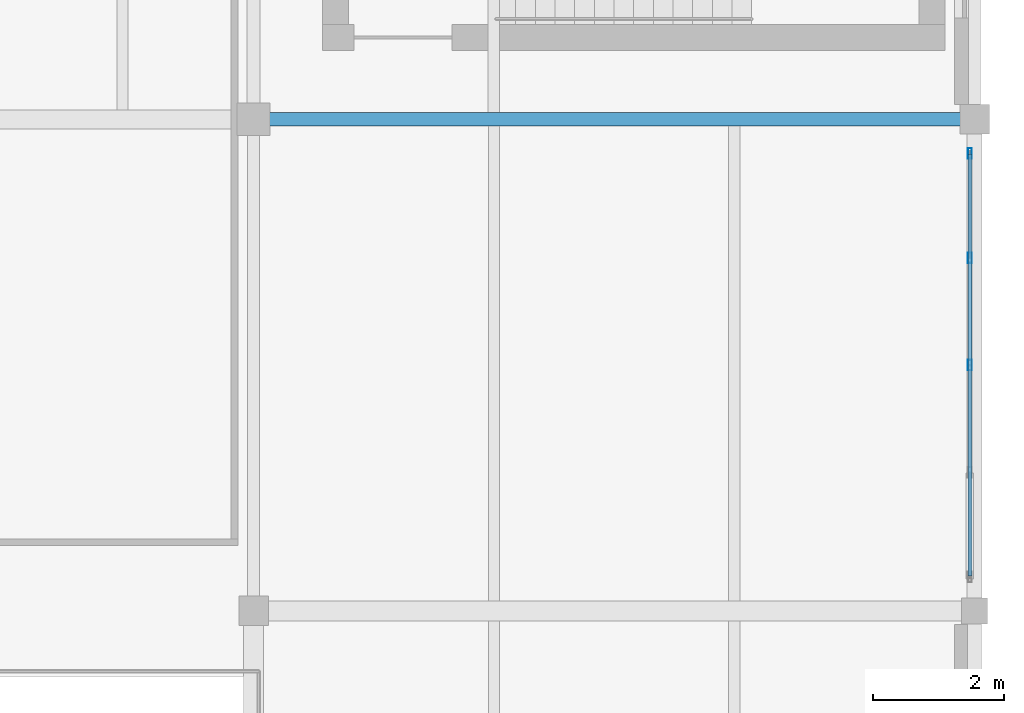
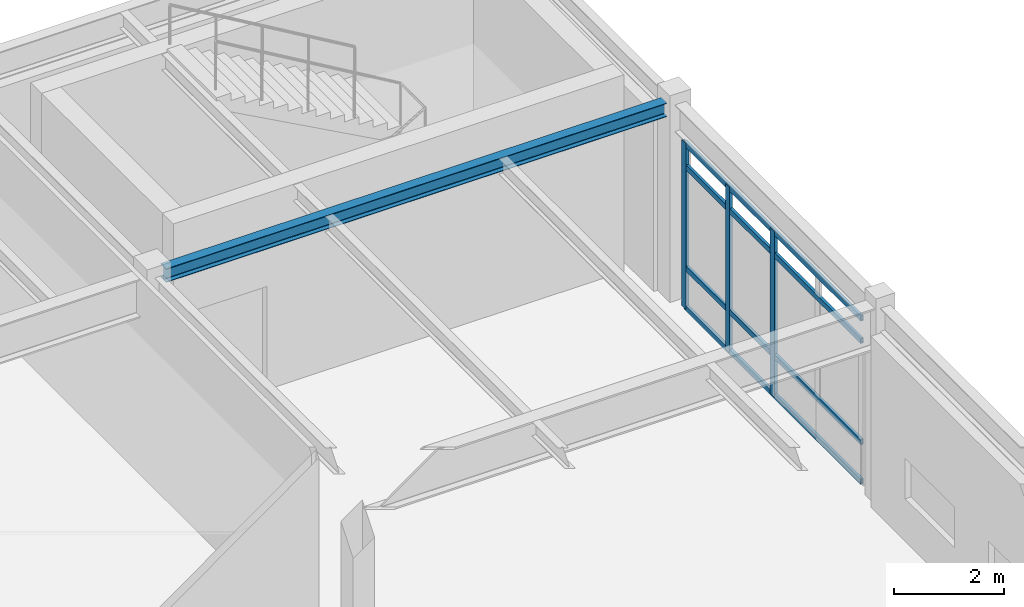
# One storey, part 108 of 168: 7 members, 1 beam, 1 element without a shape of its own.
"""IFC4 building model written with IfcOpenShell, lengths in metres."""

from ifc_helpers import new_model, si_unit, direction, frame, origin, origin_2d, place, context, subcontext, project, spatial, hollow_rectangle, i_section, extrude, material, material_profile, profile_set, type_object, element, aggregate, save


model = new_model("IFC4")

# Units and contexts
model_context = context("Model", 3, precision=1e-05, world=origin(), true_north=direction((0.0, 1.0)))
body_context = subcontext(model_context, "Body", "Model", "MODEL_VIEW")
ifc_project = project(units=[si_unit("LENGTHUNIT", "METRE"), si_unit("AREAUNIT", "SQUARE_METRE"), si_unit("VOLUMEUNIT", "CUBIC_METRE"), si_unit("PLANEANGLEUNIT", "RADIAN"), si_unit("MASSUNIT", "GRAM", prefix="KILO"), si_unit("THERMODYNAMICTEMPERATUREUNIT", "KELVIN"), si_unit("POWERUNIT", "WATT")], contexts=[model_context])

# Site, building, storey
site_placement = place(None, origin())
site = spatial("IfcSite", under=ifc_project, at=site_placement, CompositionType="ELEMENT")
building_placement = place(site_placement, origin())
building = spatial("IfcBuilding", under=site, at=building_placement, Name="Tepalcoro Natatorium and Aquatics Centre", CompositionType="ELEMENT")
storey_placement = place(building_placement, frame((0.0, 0.0, 10.199951171875)))
storey = spatial("IfcBuildingStorey", under=building, at=storey_placement, Name="L02", CompositionType="ELEMENT", Elevation=10.199951171875)

# Beam
ifc_material_1 = material(Name="Steel ASTM A992 Grade 50 (Fy 345 MPa)", Category="steel")
ifc_material_profile_1 = material_profile(ifc_material_1, i_section(OverallWidth=0.202880859375, OverallDepth=0.304931640625, WebThickness=0.007080078125, FlangeThickness=0.012939453125, FilletRadius=0.013916015625, at=origin_2d()), Name="W12X40")
ifc_profile_set_1 = profile_set([ifc_material_profile_1], Name="Steel ASTM A992 Grade 50 (Fy 345 MPa)")
beam_type = type_object("IfcBeamType", Name="BM_W12x40", PredefinedType="BEAM", material=ifc_profile_set_1)
beam_placement = place(storey_placement, frame((165.235107421875, 51.5, 4.212646484375), z_axis=(1.0, 0.0, 0.0), x_axis=(0.0, 1.0, 0.0)))
element("IfcBeam", 1, at=beam_placement, inside=storey, type_object=beam_type, Name="V2 L02 Grid Girder X", PredefinedType="BEAM", context=body_context, shape_type="SweptSolid", body=[
    extrude(i_section(OverallWidth=0.202880859375, OverallDepth=0.304931640625, WebThickness=0.007080078125, FlangeThickness=0.012939453125, FilletRadius=0.013916015625, at=origin_2d()), origin(), (0.0, 0.0, 1.0), 10.554931640625),
])

# Curtain wall, members
ifc_material_2 = material(Name="Bronze-Anodised Extruded Aluminium Alloy EN AW-6063 T6", Category="aluminium")
curtain_wall_type = type_object("IfcCurtainWallType", Name="CW_V3_FOYER", PredefinedType="USERDEFINED", material=ifc_material_2)
curtain_wall_placement = place(storey_placement, origin())
curtain_wall = element("IfcCurtainWall", 2, at=curtain_wall_placement, inside=storey, type_object=curtain_wall_type, Name="V2 L02 E Unitised Curtain Wall Bay 6", ObjectType="UNITISED STOREFRONT", PredefinedType="USERDEFINED")
ifc_material_profile_2 = material_profile(ifc_material_2, hollow_rectangle(XDim=0.06005859375, YDim=0.159912109375, WallThickness=0.00390625, at=origin_2d()), Name="AL60X160X4")
ifc_profile_set_2 = profile_set([ifc_material_profile_2], Name="Bronze-Anodised Extruded Aluminium Alloy EN AW-6063 T6")
member_type_1 = type_object("IfcMemberType", Name="CW_MUL_60x160", PredefinedType="MULLION", material=ifc_profile_set_2)
member_1_placement = place(storey_placement, frame((175.9287109375, 47.75, 0.02001953125), z_axis=(0.0, 0.0, 1.0), x_axis=(1.0, 0.0, 0.0)))
member_1 = element("IfcMember", 3, at=member_1_placement, type_object=member_type_1, Name="CW_V3_FOYER Curtain Wall Mullion", PredefinedType="MULLION", context=body_context, shape_type="SweptSolid", body=[
    extrude(hollow_rectangle(XDim=0.06005859375, YDim=0.159912109375, WallThickness=0.00390625, at=origin_2d()), origin(), (0.0, 0.0, 1.0), 3.697998046875),
])
member_2_placement = place(storey_placement, frame((175.9287109375, 49.385009765625, 0.02001953125), z_axis=(0.0, 0.0, 1.0), x_axis=(1.0, 0.0, 0.0)))
member_2 = element("IfcMember", 4, at=member_2_placement, type_object=member_type_1, Name="CW_V3_FOYER Curtain Wall Mullion", PredefinedType="MULLION", context=body_context, shape_type="SweptSolid", body=[
    extrude(hollow_rectangle(XDim=0.06005859375, YDim=0.159912109375, WallThickness=0.00390625, at=origin_2d()), origin(), (0.0, 0.0, 1.0), 3.697998046875),
])
member_3_placement = place(storey_placement, frame((175.9287109375, 50.97998046875, 0.02001953125), z_axis=(0.0, 0.0, 1.0), x_axis=(1.0, 0.0, 0.0)))
member_3 = element("IfcMember", 5, at=member_3_placement, type_object=member_type_1, Name="CW_V3_FOYER Curtain Wall Mullion", PredefinedType="MULLION", context=body_context, shape_type="SweptSolid", body=[
    extrude(hollow_rectangle(XDim=0.06005859375, YDim=0.159912109375, WallThickness=0.00390625, at=origin_2d()), origin(), (0.0, 0.0, 1.0), 3.697998046875),
])
ifc_material_profile_3 = material_profile(ifc_material_2, hollow_rectangle(XDim=0.06005859375, YDim=0.1201171875, WallThickness=0.00390625, at=origin_2d()), Name="AL60X120X4")
ifc_profile_set_3 = profile_set([ifc_material_profile_3], Name="Bronze-Anodised Extruded Aluminium Alloy EN AW-6063 T6")
member_type_2 = type_object("IfcMemberType", Name="CW_TRN_60x120", PredefinedType="USERDEFINED", material=ifc_profile_set_3)
member_4_placement = place(storey_placement, frame((175.9287109375, 44.530029296875, 0.050048828125), z_axis=(0.0, 1.0, 0.0), x_axis=(-1.0, 0.0, 0.0)))
member_4 = element("IfcMember", 6, at=member_4_placement, type_object=member_type_2, Name="CW_V3_FOYER Curtain Wall Transom", ObjectType="TRANSOM", PredefinedType="USERDEFINED", context=body_context, shape_type="SweptSolid", body=[
    extrude(hollow_rectangle(XDim=0.06005859375, YDim=0.1201171875, WallThickness=0.00390625, at=origin_2d()), origin(), (0.0, 0.0, 1.0), 6.43994140625),
])
member_5_placement = place(storey_placement, frame((175.9287109375, 44.530029296875, 0.9345703125), z_axis=(0.0, 1.0, 0.0), x_axis=(-1.0, 0.0, 0.0)))
member_5 = element("IfcMember", 7, at=member_5_placement, type_object=member_type_2, Name="CW_V3_FOYER Curtain Wall Transom", ObjectType="TRANSOM", PredefinedType="USERDEFINED", context=body_context, shape_type="SweptSolid", body=[
    extrude(hollow_rectangle(XDim=0.06005859375, YDim=0.1201171875, WallThickness=0.00390625, at=origin_2d()), origin(), (0.0, 0.0, 1.0), 6.43994140625),
])
member_6_placement = place(storey_placement, frame((175.9287109375, 44.530029296875, 3.18798828125), z_axis=(0.0, 1.0, 0.0), x_axis=(-1.0, 0.0, 0.0)))
member_6 = element("IfcMember", 8, at=member_6_placement, type_object=member_type_2, Name="CW_V3_FOYER Curtain Wall Transom", ObjectType="TRANSOM", PredefinedType="USERDEFINED", context=body_context, shape_type="SweptSolid", body=[
    extrude(hollow_rectangle(XDim=0.06005859375, YDim=0.1201171875, WallThickness=0.00390625, at=origin_2d()), origin(), (0.0, 0.0, 1.0), 6.43994140625),
])
member_7_placement = place(storey_placement, frame((175.9287109375, 44.530029296875, 3.68798828125), z_axis=(0.0, 1.0, 0.0), x_axis=(-1.0, 0.0, 0.0)))
member_7 = element("IfcMember", 9, at=member_7_placement, type_object=member_type_2, Name="CW_V3_FOYER Curtain Wall Transom", ObjectType="TRANSOM", PredefinedType="USERDEFINED", context=body_context, shape_type="SweptSolid", body=[
    extrude(hollow_rectangle(XDim=0.06005859375, YDim=0.1201171875, WallThickness=0.00390625, at=origin_2d()), origin(), (0.0, 0.0, 1.0), 6.43994140625),
])
aggregate(curtain_wall, [member_1, member_2, member_3, member_4, member_5, member_6, member_7])

save(model, "model.ifc")
